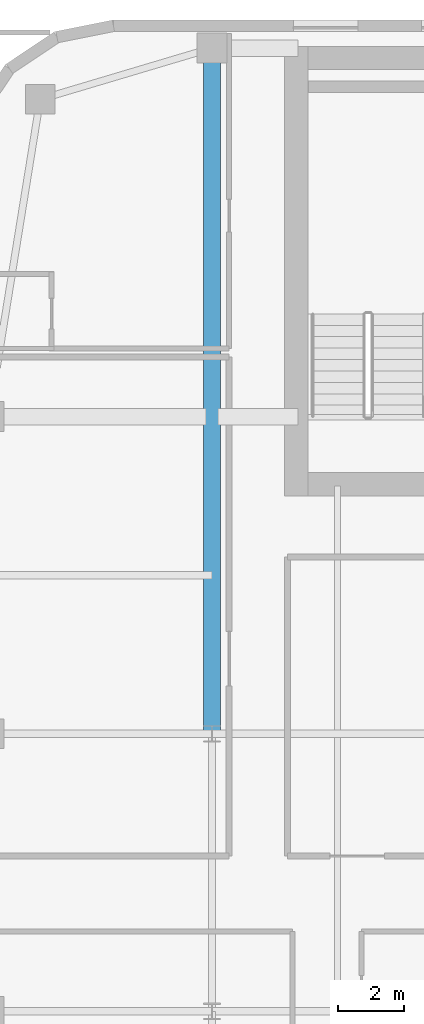
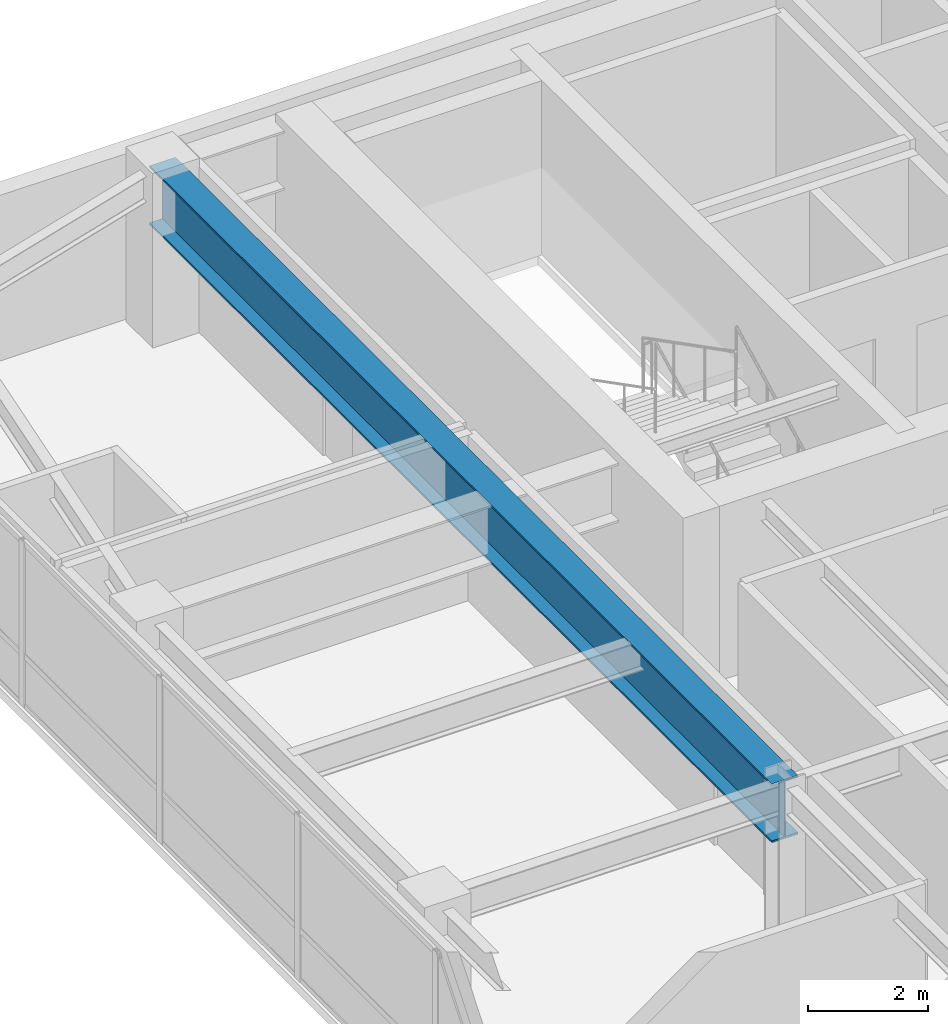
# One storey, part 18 of 30: 1 beam.
"""IFC4 building model written with IfcOpenShell, lengths in metres."""

from ifc_helpers import new_model, si_unit, direction, frame, origin, origin_2d, place, context, subcontext, project, spatial, i_section, extrude, source, transform, mapped, material, material_profile, profile_set, type_object, type_shapes, element, save


model = new_model("IFC4")

# Units and contexts
model_context = context("Model", 3, precision=1e-05, world=origin(), true_north=direction((0.0, 1.0)))
body_context = subcontext(model_context, "Body", "Model", "MODEL_VIEW")
ifc_project = project(units=[si_unit("LENGTHUNIT", "METRE"), si_unit("AREAUNIT", "SQUARE_METRE"), si_unit("VOLUMEUNIT", "CUBIC_METRE"), si_unit("PLANEANGLEUNIT", "RADIAN"), si_unit("MASSUNIT", "GRAM", prefix="KILO")], contexts=[model_context])

# Site, building, storey
site_placement = place(None, origin())
site = spatial("IfcSite", under=ifc_project, at=site_placement, CompositionType="ELEMENT")
building_placement = place(site_placement, origin())
building = spatial("IfcBuilding", under=site, at=building_placement, Name="Tolvann Quenvar Hotel", CompositionType="ELEMENT")
storey_placement = place(building_placement, frame((0.0, 0.0, 100.89990234375)))
storey = spatial("IfcBuildingStorey", under=building, at=storey_placement, Name="L25", CompositionType="ELEMENT", Elevation=100.89990234375)

# Beam
ifc_material = material(Name="Steel Grade 350", Category="steel")
ifc_material_profile = material_profile(ifc_material, i_section(OverallWidth=0.5, OverallDepth=1.199951171875, WebThickness=0.01611328125, FlangeThickness=0.0400390625, at=origin_2d()), Name="1200WB455")
ifc_profile_set = profile_set([ifc_material_profile], Name="Steel Grade 350")
beam_type = type_object("IfcBeamType", Name="BM_TG_1200WB455", PredefinedType="USERDEFINED", material=ifc_profile_set)
shared_shape = source(origin(), body_context, "Body", "SweptSolid", [
    extrude(i_section(OverallWidth=0.5, OverallDepth=1.199951171875, WebThickness=0.01611328125, FlangeThickness=0.0400390625, at=origin_2d()), origin(), (0.0, 0.0, 1.0), 20.75),
])
type_shapes(beam_type, [shared_shape])
beam_placement = place(storey_placement, frame((7.60009765625, 24.39990234375, 2.77001953125), z_axis=(0.0, 1.0, 0.0), x_axis=(-1.0, 0.0, 0.0)))
element("IfcBeam", 1, at=beam_placement, inside=storey, type_object=beam_type, Name="BM-L25-FLK-WC", ObjectType="TRANSFER GIRDER", PredefinedType="USERDEFINED", context=body_context, shape_type="MappedRepresentation", body=[
    mapped(shared_shape, transform((0.0, 0.0, 0.0), x_axis=(1.0, 0.0, 0.0), y_axis=(0.0, 1.0, 0.0), z_axis=(0.0, 0.0, 1.0), scale=1.0)),
])

save(model, "model.ifc")
